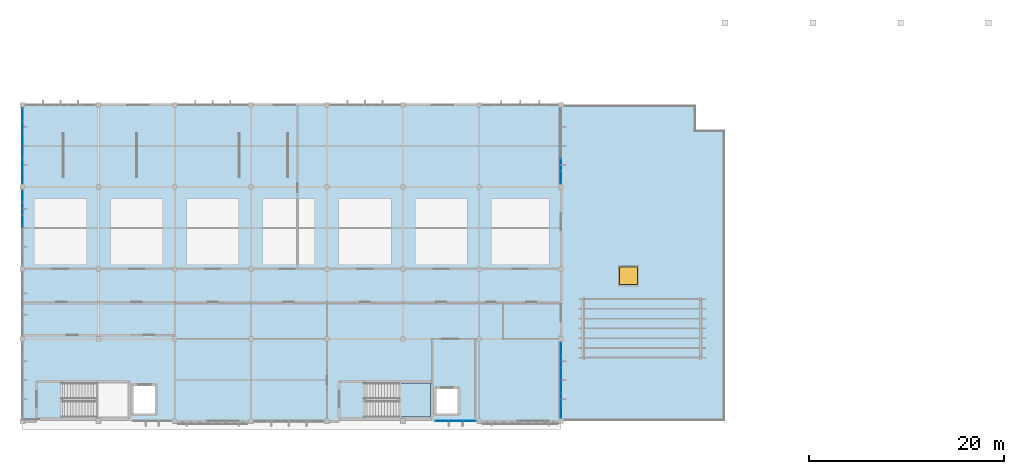
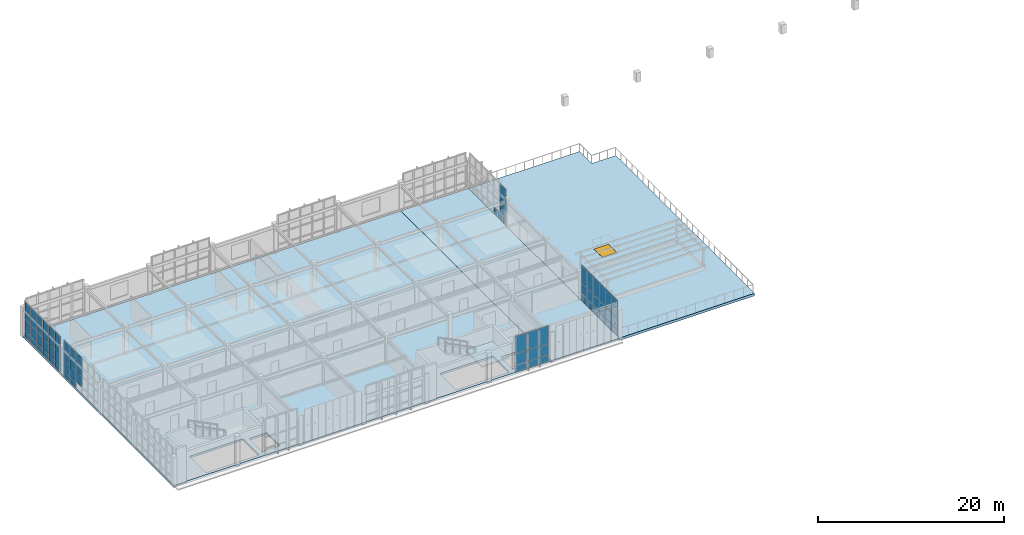
# One storey, part 10 of 20: 57 plates, 4 slabs, 1 window, 1 opening, 6 elements without a shape of their own.
"""IFC4 building model written with IfcOpenShell, lengths in metres."""

from ifc_helpers import new_model, si_unit, direction, frame, origin, origin_2d, place, context, subcontext, project, spatial, polyline, rectangle, outline, extrude, material, layer, layer_set, type_object, element, fill, aggregate, save


model = new_model("IFC4")

# Units and contexts
model_context = context("Model", 3, precision=1e-05, world=origin(), true_north=direction((0.0, 1.0)))
body_context = subcontext(model_context, "Body", "Model", "MODEL_VIEW")
ifc_project = project(units=[si_unit("LENGTHUNIT", "METRE"), si_unit("AREAUNIT", "SQUARE_METRE"), si_unit("VOLUMEUNIT", "CUBIC_METRE"), si_unit("PLANEANGLEUNIT", "RADIAN"), si_unit("MASSUNIT", "GRAM", prefix="KILO")], contexts=[model_context])

# Site, building, storey
site_placement = place(None, origin())
site = spatial("IfcSite", under=ifc_project, at=site_placement, CompositionType="ELEMENT")
building_placement = place(site_placement, origin())
building = spatial("IfcBuilding", under=site, at=building_placement, Name="Tizgana Railside Sports Hall", CompositionType="ELEMENT")
storey_placement = place(building_placement, frame((0.0, 0.0, 19.800048828125)))
storey = spatial("IfcBuildingStorey", under=building, at=storey_placement, Name="L04", CompositionType="ELEMENT", Elevation=19.800048828125)

# Curtain wall, plates
ifc_material_1 = material(Name="Anodised aluminium and glass", Category="aluminium")
curtain_wall_type_1 = type_object("IfcCurtainWallType", Name="Unitised Curtain Wall Foyer 1300", PredefinedType="NOTDEFINED", material=ifc_material_1)
curtain_wall_1_placement = place(storey_placement, origin())
curtain_wall_1 = element("IfcCurtainWall", 1, at=curtain_wall_1_placement, inside=storey, type_object=curtain_wall_type_1, Name="L04 Curtain Wall CW-0145", PredefinedType="NOTDEFINED")
ifc_material_2 = material(Name="Double low-E laminated glass", Category="glass")
ifc_layer_1 = layer(ifc_material_2, 0.033935546875, Name="Double low-E laminated glass")
ifc_layer_set_1 = layer_set([ifc_layer_1], Name="Double low-E laminated glass")
plate_type_1 = type_object("IfcPlateType", Name="Acoustic Laminated Glazing Panel 34", PredefinedType="CURTAIN_PANEL", material=ifc_layer_set_1)
plate_1_placement = place(storey_placement, frame((63.0, 7.430908203125, 0.059814453125), z_axis=(0.0, 0.0, 1.0), x_axis=(0.0, -1.0, 0.0)))
plate_1 = element("IfcPlate", 2, at=plate_1_placement, type_object=plate_type_1, Name="CW-02 panel 1.1", PredefinedType="CURTAIN_PANEL", context=body_context, shape_type="SweptSolid", body=[
    extrude(rectangle(XDim=1.208251953125, YDim=0.033935546875, at=origin_2d()), origin(), (0.0, 0.0, 1.0), 0.81005859375),
])
plate_2_placement = place(storey_placement, frame((63.0, 7.430908203125, 0.929931640625), z_axis=(0.0, 0.0, 1.0), x_axis=(0.0, -1.0, 0.0)))
plate_2 = element("IfcPlate", 3, at=plate_2_placement, type_object=plate_type_1, Name="CW-02 panel 1.2", PredefinedType="CURTAIN_PANEL", context=body_context, shape_type="SweptSolid", body=[
    extrude(rectangle(XDim=1.208251953125, YDim=0.033935546875, at=origin_2d()), origin(), (0.0, 0.0, 1.0), 1.43994140625),
])
plate_3_placement = place(storey_placement, frame((63.0, 7.430908203125, 2.429931640625), z_axis=(0.0, 0.0, 1.0), x_axis=(0.0, -1.0, 0.0)))
plate_3 = element("IfcPlate", 4, at=plate_3_placement, type_object=plate_type_1, Name="CW-02 panel 1.3", PredefinedType="CURTAIN_PANEL", context=body_context, shape_type="SweptSolid", body=[
    extrude(rectangle(XDim=1.208251953125, YDim=0.033935546875, at=origin_2d()), origin(), (0.0, 0.0, 1.0), 2.31005859375),
])
plate_4_placement = place(storey_placement, frame((63.0, 6.1474609375, 0.059814453125), z_axis=(0.0, 0.0, 1.0), x_axis=(0.0, -1.0, 0.0)))
plate_4 = element("IfcPlate", 5, at=plate_4_placement, type_object=plate_type_1, Name="CW-02 panel 2.1", PredefinedType="CURTAIN_PANEL", context=body_context, shape_type="SweptSolid", body=[
    extrude(rectangle(XDim=1.23828125, YDim=0.033935546875, at=origin_2d()), origin(), (0.0, 0.0, 1.0), 0.81005859375),
])
plate_5_placement = place(storey_placement, frame((63.0, 6.1474609375, 0.929931640625), z_axis=(0.0, 0.0, 1.0), x_axis=(0.0, -1.0, 0.0)))
plate_5 = element("IfcPlate", 6, at=plate_5_placement, type_object=plate_type_1, Name="CW-02 panel 2.2", PredefinedType="CURTAIN_PANEL", context=body_context, shape_type="SweptSolid", body=[
    extrude(rectangle(XDim=1.23828125, YDim=0.033935546875, at=origin_2d()), origin(), (0.0, 0.0, 1.0), 1.43994140625),
])
plate_6_placement = place(storey_placement, frame((63.0, 6.1474609375, 2.429931640625), z_axis=(0.0, 0.0, 1.0), x_axis=(0.0, -1.0, 0.0)))
plate_6 = element("IfcPlate", 7, at=plate_6_placement, type_object=plate_type_1, Name="CW-02 panel 2.3", PredefinedType="CURTAIN_PANEL", context=body_context, shape_type="SweptSolid", body=[
    extrude(rectangle(XDim=1.23828125, YDim=0.033935546875, at=origin_2d()), origin(), (0.0, 0.0, 1.0), 2.31005859375),
])
plate_7_placement = place(storey_placement, frame((63.0, 4.84912109375, 0.059814453125), z_axis=(0.0, 0.0, 1.0), x_axis=(0.0, -1.0, 0.0)))
plate_7 = element("IfcPlate", 8, at=plate_7_placement, type_object=plate_type_1, Name="CW-02 panel 3.1", PredefinedType="CURTAIN_PANEL", context=body_context, shape_type="SweptSolid", body=[
    extrude(rectangle(XDim=1.23828125, YDim=0.033935546875, at=origin_2d()), origin(), (0.0, 0.0, 1.0), 0.81005859375),
])
plate_8_placement = place(storey_placement, frame((63.0, 4.84912109375, 0.929931640625), z_axis=(0.0, 0.0, 1.0), x_axis=(0.0, -1.0, 0.0)))
plate_8 = element("IfcPlate", 9, at=plate_8_placement, type_object=plate_type_1, Name="CW-02 panel 3.2", PredefinedType="CURTAIN_PANEL", context=body_context, shape_type="SweptSolid", body=[
    extrude(rectangle(XDim=1.23828125, YDim=0.033935546875, at=origin_2d()), origin(), (0.0, 0.0, 1.0), 1.43994140625),
])
plate_9_placement = place(storey_placement, frame((63.0, 4.84912109375, 2.429931640625), z_axis=(0.0, 0.0, 1.0), x_axis=(0.0, -1.0, 0.0)))
plate_9 = element("IfcPlate", 10, at=plate_9_placement, type_object=plate_type_1, Name="CW-02 panel 3.3", PredefinedType="CURTAIN_PANEL", context=body_context, shape_type="SweptSolid", body=[
    extrude(rectangle(XDim=1.23828125, YDim=0.033935546875, at=origin_2d()), origin(), (0.0, 0.0, 1.0), 2.31005859375),
])
plate_10_placement = place(storey_placement, frame((63.0, 3.55078125, 0.059814453125), z_axis=(0.0, 0.0, 1.0), x_axis=(0.0, -1.0, 0.0)))
plate_10 = element("IfcPlate", 11, at=plate_10_placement, type_object=plate_type_1, Name="CW-02 panel 4.1", PredefinedType="CURTAIN_PANEL", context=body_context, shape_type="SweptSolid", body=[
    extrude(rectangle(XDim=1.23828125, YDim=0.033935546875, at=origin_2d()), origin(), (0.0, 0.0, 1.0), 0.81005859375),
])
plate_11_placement = place(storey_placement, frame((63.0, 3.55078125, 0.929931640625), z_axis=(0.0, 0.0, 1.0), x_axis=(0.0, -1.0, 0.0)))
plate_11 = element("IfcPlate", 12, at=plate_11_placement, type_object=plate_type_1, Name="CW-02 panel 4.2", PredefinedType="CURTAIN_PANEL", context=body_context, shape_type="SweptSolid", body=[
    extrude(rectangle(XDim=1.23828125, YDim=0.033935546875, at=origin_2d()), origin(), (0.0, 0.0, 1.0), 1.43994140625),
])
plate_12_placement = place(storey_placement, frame((63.0, 3.55078125, 2.429931640625), z_axis=(0.0, 0.0, 1.0), x_axis=(0.0, -1.0, 0.0)))
plate_12 = element("IfcPlate", 13, at=plate_12_placement, type_object=plate_type_1, Name="CW-02 panel 4.3", PredefinedType="CURTAIN_PANEL", context=body_context, shape_type="SweptSolid", body=[
    extrude(rectangle(XDim=1.23828125, YDim=0.033935546875, at=origin_2d()), origin(), (0.0, 0.0, 1.0), 2.31005859375),
])
plate_13_placement = place(storey_placement, frame((63.0, 2.25244140625, 0.059814453125), z_axis=(0.0, 0.0, 1.0), x_axis=(0.0, -1.0, 0.0)))
plate_13 = element("IfcPlate", 14, at=plate_13_placement, type_object=plate_type_1, Name="CW-02 panel 5.1", PredefinedType="CURTAIN_PANEL", context=body_context, shape_type="SweptSolid", body=[
    extrude(rectangle(XDim=1.23828125, YDim=0.033935546875, at=origin_2d()), origin(), (0.0, 0.0, 1.0), 0.81005859375),
])
plate_14_placement = place(storey_placement, frame((63.0, 2.25244140625, 0.929931640625), z_axis=(0.0, 0.0, 1.0), x_axis=(0.0, -1.0, 0.0)))
plate_14 = element("IfcPlate", 15, at=plate_14_placement, type_object=plate_type_1, Name="CW-02 panel 5.2", PredefinedType="CURTAIN_PANEL", context=body_context, shape_type="SweptSolid", body=[
    extrude(rectangle(XDim=1.23828125, YDim=0.033935546875, at=origin_2d()), origin(), (0.0, 0.0, 1.0), 1.43994140625),
])
plate_15_placement = place(storey_placement, frame((63.0, 2.25244140625, 2.429931640625), z_axis=(0.0, 0.0, 1.0), x_axis=(0.0, -1.0, 0.0)))
plate_15 = element("IfcPlate", 16, at=plate_15_placement, type_object=plate_type_1, Name="CW-02 panel 5.3", PredefinedType="CURTAIN_PANEL", context=body_context, shape_type="SweptSolid", body=[
    extrude(rectangle(XDim=1.23828125, YDim=0.033935546875, at=origin_2d()), origin(), (0.0, 0.0, 1.0), 2.31005859375),
])
plate_16_placement = place(storey_placement, frame((63.0, 0.96923828125, 0.059814453125), z_axis=(0.0, 0.0, 1.0), x_axis=(0.0, -1.0, 0.0)))
plate_16 = element("IfcPlate", 17, at=plate_16_placement, type_object=plate_type_1, Name="CW-02 panel 6.1", PredefinedType="CURTAIN_PANEL", context=body_context, shape_type="SweptSolid", body=[
    extrude(rectangle(XDim=1.208251953125, YDim=0.033935546875, at=origin_2d()), origin(), (0.0, 0.0, 1.0), 0.81005859375),
])
plate_17_placement = place(storey_placement, frame((63.0, 0.96923828125, 0.929931640625), z_axis=(0.0, 0.0, 1.0), x_axis=(0.0, -1.0, 0.0)))
plate_17 = element("IfcPlate", 18, at=plate_17_placement, type_object=plate_type_1, Name="CW-02 panel 6.2", PredefinedType="CURTAIN_PANEL", context=body_context, shape_type="SweptSolid", body=[
    extrude(rectangle(XDim=1.208251953125, YDim=0.033935546875, at=origin_2d()), origin(), (0.0, 0.0, 1.0), 1.43994140625),
])
plate_18_placement = place(storey_placement, frame((63.0, 0.96923828125, 2.429931640625), z_axis=(0.0, 0.0, 1.0), x_axis=(0.0, -1.0, 0.0)))
plate_18 = element("IfcPlate", 19, at=plate_18_placement, type_object=plate_type_1, Name="CW-02 panel 6.3", PredefinedType="CURTAIN_PANEL", context=body_context, shape_type="SweptSolid", body=[
    extrude(rectangle(XDim=1.208251953125, YDim=0.033935546875, at=origin_2d()), origin(), (0.0, 0.0, 1.0), 2.31005859375),
])
aggregate(curtain_wall_1, [plate_1, plate_2, plate_3, plate_4, plate_5, plate_6, plate_7, plate_8, plate_9, plate_10, plate_11, plate_12, plate_13, plate_14, plate_15, plate_16, plate_17, plate_18])

# Stair, slab
ifc_material_3 = material(Name="Concrete C35/45", Category="concrete")
stair_type = type_object("IfcStairType", Name="Tournament Court Stair 1600", PredefinedType="HALF_TURN_STAIR", material=ifc_material_3)
stair_placement = place(storey_placement, origin())
stair = element("IfcStair", 20, at=stair_placement, inside=storey, type_object=stair_type, Name="L04 Core Stair ST-02", PredefinedType="HALF_TURN_STAIR")
ifc_layer_2 = layer(ifc_material_3, 0.199951171875, Name="Concrete C35/45")
ifc_layer_set_2 = layer_set([ifc_layer_2], Name="Concrete C35/45")
slab_type_1 = type_object("IfcSlabType", Name="Core Stair Landing Slab 200", PredefinedType="LANDING", material=ifc_layer_set_2)
slab_1_placement = place(storey_placement, frame((0.0, 0.0, 1.75)))
slab_1 = element("IfcSlab", 21, at=slab_1_placement, type_object=slab_type_1, Name="ST-02 landing 1", PredefinedType="LANDING", context=body_context, shape_type="SweptSolid", body=[
    extrude(outline(polyline([(46.219970703125, 0.39990234375), (49.60009765625, 0.39990234375), (49.60009765625, 3.89990234375), (46.219970703125, 3.89990234375), (46.219970703125, 0.39990234375)])), origin(), (0.0, 0.0, 1.0), 0.199951171875),
])
aggregate(stair, [slab_1])

# Curtain wall, plates
curtain_wall_type_2 = type_object("IfcCurtainWallType", Name="Unitised Curtain Wall Studio 1400", PredefinedType="NOTDEFINED", material=ifc_material_1)
curtain_wall_2_placement = place(storey_placement, origin())
curtain_wall_2 = element("IfcCurtainWall", 22, at=curtain_wall_2_placement, inside=storey, type_object=curtain_wall_type_2, Name="L04 Curtain Wall CW-0146", PredefinedType="NOTDEFINED")
ifc_layer_3 = layer(ifc_material_2, 0.0400390625, Name="Double low-E laminated glass")
ifc_layer_set_3 = layer_set([ifc_layer_3], Name="Double low-E laminated glass")
plate_type_2 = type_object("IfcPlateType", Name="High-Span Tempered Glazing Panel 40", PredefinedType="CURTAIN_PANEL", material=ifc_layer_set_3)
plate_19_placement = place(storey_placement, frame((63.0, 26.25244140625, 0.059814453125), z_axis=(0.0, 0.0, 1.0), x_axis=(0.0, -1.0, 0.0)))
plate_19 = element("IfcPlate", 23, at=plate_19_placement, type_object=plate_type_2, Name="CW-03 panel 5.1", PredefinedType="CURTAIN_PANEL", context=body_context, shape_type="SweptSolid", body=[
    extrude(rectangle(XDim=1.23828125, YDim=0.0400390625, at=origin_2d()), origin(), (0.0, 0.0, 1.0), 0.81005859375),
])
plate_20_placement = place(storey_placement, frame((63.0, 24.96923828125, 0.059814453125), z_axis=(0.0, 0.0, 1.0), x_axis=(0.0, -1.0, 0.0)))
plate_20 = element("IfcPlate", 24, at=plate_20_placement, type_object=plate_type_2, Name="CW-03 panel 6.1", PredefinedType="CURTAIN_PANEL", context=body_context, shape_type="SweptSolid", body=[
    extrude(rectangle(XDim=1.208251953125, YDim=0.0400390625, at=origin_2d()), origin(), (0.0, 0.0, 1.0), 0.81005859375),
])
plate_21_placement = place(storey_placement, frame((63.0, 24.96923828125, 0.929931640625), z_axis=(0.0, 0.0, 1.0), x_axis=(0.0, -1.0, 0.0)))
plate_21 = element("IfcPlate", 25, at=plate_21_placement, type_object=plate_type_2, Name="CW-03 panel 6.2", PredefinedType="CURTAIN_PANEL", context=body_context, shape_type="SweptSolid", body=[
    extrude(rectangle(XDim=1.208251953125, YDim=0.0400390625, at=origin_2d()), origin(), (0.0, 0.0, 1.0), 1.43994140625),
])
plate_22_placement = place(storey_placement, frame((63.0, 24.96923828125, 2.429931640625), z_axis=(0.0, 0.0, 1.0), x_axis=(0.0, -1.0, 0.0)))
plate_22 = element("IfcPlate", 26, at=plate_22_placement, type_object=plate_type_2, Name="CW-03 panel 6.3", PredefinedType="CURTAIN_PANEL", context=body_context, shape_type="SweptSolid", body=[
    extrude(rectangle(XDim=1.208251953125, YDim=0.0400390625, at=origin_2d()), origin(), (0.0, 0.0, 1.0), 2.31005859375),
])
aggregate(curtain_wall_2, [plate_19, plate_20, plate_21, plate_22])

curtain_wall_type_3 = type_object("IfcCurtainWallType", Name="Unitised Curtain Wall EastHall 1500", PredefinedType="NOTDEFINED", material=ifc_material_1)
curtain_wall_3_placement = place(storey_placement, origin())
curtain_wall_3 = element("IfcCurtainWall", 27, at=curtain_wall_3_placement, inside=storey, type_object=curtain_wall_type_3, Name="L04 Curtain Wall CW-0143", PredefinedType="NOTDEFINED")
ifc_layer_4 = layer(ifc_material_2, 0.031982421875, Name="Double low-E laminated glass")
ifc_layer_set_4 = layer_set([ifc_layer_4], Name="Double low-E laminated glass")
plate_type_3 = type_object("IfcPlateType", Name="North-Light Clerestory Glazing Panel 32", PredefinedType="CURTAIN_PANEL", material=ifc_layer_set_4)
plate_23_placement = place(storey_placement, frame((7.800048828125, 23.027099609375, 0.054931640625), z_axis=(0.0, 0.0, 1.0), x_axis=(0.0, -1.0, 0.0)))
plate_23 = element("IfcPlate", 28, at=plate_23_placement, type_object=plate_type_3, Name="CW-08 panel 1.1", PredefinedType="CURTAIN_PANEL", context=body_context, shape_type="SweptSolid", body=[
    extrude(rectangle(XDim=1.185791015625, YDim=0.031982421875, at=origin_2d()), origin(), (0.0, 0.0, 1.0), 0.8173828125),
])
plate_24_placement = place(storey_placement, frame((7.800048828125, 23.027099609375, 0.92724609375), z_axis=(0.0, 0.0, 1.0), x_axis=(0.0, -1.0, 0.0)))
plate_24 = element("IfcPlate", 29, at=plate_24_placement, type_object=plate_type_3, Name="CW-08 panel 1.2", PredefinedType="CURTAIN_PANEL", context=body_context, shape_type="SweptSolid", body=[
    extrude(rectangle(XDim=1.185791015625, YDim=0.031982421875, at=origin_2d()), origin(), (0.0, 0.0, 1.0), 1.445068359375),
])
plate_25_placement = place(storey_placement, frame((7.800048828125, 23.027099609375, 2.427490234375), z_axis=(0.0, 0.0, 1.0), x_axis=(0.0, -1.0, 0.0)))
plate_25 = element("IfcPlate", 30, at=plate_25_placement, type_object=plate_type_3, Name="CW-08 panel 1.3", PredefinedType="CURTAIN_PANEL", context=body_context, shape_type="SweptSolid", body=[
    extrude(rectangle(XDim=1.185791015625, YDim=0.031982421875, at=origin_2d()), origin(), (0.0, 0.0, 1.0), 2.3173828125),
])
plate_26_placement = place(storey_placement, frame((7.800048828125, 21.74755859375, 0.054931640625), z_axis=(0.0, 0.0, 1.0), x_axis=(0.0, -1.0, 0.0)))
plate_26 = element("IfcPlate", 31, at=plate_26_placement, type_object=plate_type_3, Name="CW-08 panel 2.1", PredefinedType="CURTAIN_PANEL", context=body_context, shape_type="SweptSolid", body=[
    extrude(rectangle(XDim=1.223388671875, YDim=0.031982421875, at=origin_2d()), origin(), (0.0, 0.0, 1.0), 0.8173828125),
])
plate_27_placement = place(storey_placement, frame((7.800048828125, 21.74755859375, 0.92724609375), z_axis=(0.0, 0.0, 1.0), x_axis=(0.0, -1.0, 0.0)))
plate_27 = element("IfcPlate", 32, at=plate_27_placement, type_object=plate_type_3, Name="CW-08 panel 2.2", PredefinedType="CURTAIN_PANEL", context=body_context, shape_type="SweptSolid", body=[
    extrude(rectangle(XDim=1.223388671875, YDim=0.031982421875, at=origin_2d()), origin(), (0.0, 0.0, 1.0), 1.445068359375),
])
plate_28_placement = place(storey_placement, frame((7.800048828125, 21.74755859375, 2.427490234375), z_axis=(0.0, 0.0, 1.0), x_axis=(0.0, -1.0, 0.0)))
plate_28 = element("IfcPlate", 33, at=plate_28_placement, type_object=plate_type_3, Name="CW-08 panel 2.3", PredefinedType="CURTAIN_PANEL", context=body_context, shape_type="SweptSolid", body=[
    extrude(rectangle(XDim=1.223388671875, YDim=0.031982421875, at=origin_2d()), origin(), (0.0, 0.0, 1.0), 2.3173828125),
])
plate_29_placement = place(storey_placement, frame((7.800048828125, 20.44921875, 0.92724609375), z_axis=(0.0, 0.0, 1.0), x_axis=(0.0, -1.0, 0.0)))
plate_29 = element("IfcPlate", 34, at=plate_29_placement, type_object=plate_type_3, Name="CW-08 panel 3.2", PredefinedType="CURTAIN_PANEL", context=body_context, shape_type="SweptSolid", body=[
    extrude(rectangle(XDim=1.223388671875, YDim=0.031982421875, at=origin_2d()), origin(), (0.0, 0.0, 1.0), 1.445068359375),
])
plate_30_placement = place(storey_placement, frame((7.800048828125, 20.44921875, 2.427490234375), z_axis=(0.0, 0.0, 1.0), x_axis=(0.0, -1.0, 0.0)))
plate_30 = element("IfcPlate", 35, at=plate_30_placement, type_object=plate_type_3, Name="CW-08 panel 3.3", PredefinedType="CURTAIN_PANEL", context=body_context, shape_type="SweptSolid", body=[
    extrude(rectangle(XDim=1.223388671875, YDim=0.031982421875, at=origin_2d()), origin(), (0.0, 0.0, 1.0), 2.3173828125),
])
aggregate(curtain_wall_3, [plate_23, plate_24, plate_25, plate_26, plate_27, plate_28, plate_29, plate_30])

curtain_wall_type_4 = type_object("IfcCurtainWallType", Name="Unitised Curtain Wall Concourse 1500", PredefinedType="NOTDEFINED", material=ifc_material_1)
curtain_wall_4_placement = place(storey_placement, origin())
curtain_wall_4 = element("IfcCurtainWall", 36, at=curtain_wall_4_placement, inside=storey, type_object=curtain_wall_type_4, Name="L04 Curtain Wall CW-0136", PredefinedType="NOTDEFINED")
ifc_layer_5 = layer(ifc_material_2, 0.028076171875, Name="Double low-E laminated glass")
ifc_layer_set_5 = layer_set([ifc_layer_5], Name="Double low-E laminated glass")
plate_type_4 = type_object("IfcPlateType", Name="Solar Low-E Glazing Panel 28", PredefinedType="CURTAIN_PANEL", material=ifc_layer_set_5)
plate_31_placement = place(storey_placement, frame((53.574951171875, 0.0, 0.070068359375), z_axis=(0.0, 0.0, 1.0), x_axis=(-1.0, 0.0, 0.0)))
plate_31 = element("IfcPlate", 37, at=plate_31_placement, type_object=plate_type_4, Name="CW-01 panel 1.1", PredefinedType="CURTAIN_PANEL", context=body_context, shape_type="SweptSolid", body=[
    extrude(rectangle(XDim=1.300048828125, YDim=0.028076171875, at=origin_2d()), origin(), (0.0, 0.0, 1.0), 0.794921875),
])
plate_32_placement = place(storey_placement, frame((53.574951171875, 0.0, 0.93505859375), z_axis=(0.0, 0.0, 1.0), x_axis=(-1.0, 0.0, 0.0)))
plate_32 = element("IfcPlate", 38, at=plate_32_placement, type_object=plate_type_4, Name="CW-01 panel 1.2", PredefinedType="CURTAIN_PANEL", context=body_context, shape_type="SweptSolid", body=[
    extrude(rectangle(XDim=1.300048828125, YDim=0.028076171875, at=origin_2d()), origin(), (0.0, 0.0, 1.0), 1.429931640625),
])
plate_33_placement = place(storey_placement, frame((53.574951171875, 0.0, 2.43505859375), z_axis=(0.0, 0.0, 1.0), x_axis=(-1.0, 0.0, 0.0)))
plate_33 = element("IfcPlate", 39, at=plate_33_placement, type_object=plate_type_4, Name="CW-01 panel 1.3", PredefinedType="CURTAIN_PANEL", context=body_context, shape_type="SweptSolid", body=[
    extrude(rectangle(XDim=1.300048828125, YDim=0.028076171875, at=origin_2d()), origin(), (0.0, 0.0, 1.0), 2.294921875),
])
plate_34_placement = place(storey_placement, frame((52.1875, 0.0, 0.070068359375), z_axis=(0.0, 0.0, 1.0), x_axis=(-1.0, 0.0, 0.0)))
plate_34 = element("IfcPlate", 40, at=plate_34_placement, type_object=plate_type_4, Name="CW-01 panel 2.1", PredefinedType="CURTAIN_PANEL", context=body_context, shape_type="SweptSolid", body=[
    extrude(rectangle(XDim=1.3349609375, YDim=0.028076171875, at=origin_2d()), origin(), (0.0, 0.0, 1.0), 0.794921875),
])
plate_35_placement = place(storey_placement, frame((52.1875, 0.0, 0.93505859375), z_axis=(0.0, 0.0, 1.0), x_axis=(-1.0, 0.0, 0.0)))
plate_35 = element("IfcPlate", 41, at=plate_35_placement, type_object=plate_type_4, Name="CW-01 panel 2.2", PredefinedType="CURTAIN_PANEL", context=body_context, shape_type="SweptSolid", body=[
    extrude(rectangle(XDim=1.3349609375, YDim=0.028076171875, at=origin_2d()), origin(), (0.0, 0.0, 1.0), 1.429931640625),
])
plate_36_placement = place(storey_placement, frame((52.1875, 0.0, 2.43505859375), z_axis=(0.0, 0.0, 1.0), x_axis=(-1.0, 0.0, 0.0)))
plate_36 = element("IfcPlate", 42, at=plate_36_placement, type_object=plate_type_4, Name="CW-01 panel 2.3", PredefinedType="CURTAIN_PANEL", context=body_context, shape_type="SweptSolid", body=[
    extrude(rectangle(XDim=1.3349609375, YDim=0.028076171875, at=origin_2d()), origin(), (0.0, 0.0, 1.0), 2.294921875),
])
plate_37_placement = place(storey_placement, frame((50.800048828125, 0.0, 0.070068359375), z_axis=(0.0, 0.0, 1.0), x_axis=(-1.0, 0.0, 0.0)))
plate_37 = element("IfcPlate", 43, at=plate_37_placement, type_object=plate_type_4, Name="CW-01 panel 3.1", PredefinedType="CURTAIN_PANEL", context=body_context, shape_type="SweptSolid", body=[
    extrude(rectangle(XDim=1.300048828125, YDim=0.028076171875, at=origin_2d()), origin(), (0.0, 0.0, 1.0), 0.794921875),
])
plate_38_placement = place(storey_placement, frame((50.800048828125, 0.0, 0.93505859375), z_axis=(0.0, 0.0, 1.0), x_axis=(-1.0, 0.0, 0.0)))
plate_38 = element("IfcPlate", 44, at=plate_38_placement, type_object=plate_type_4, Name="CW-01 panel 3.2", PredefinedType="CURTAIN_PANEL", context=body_context, shape_type="SweptSolid", body=[
    extrude(rectangle(XDim=1.300048828125, YDim=0.028076171875, at=origin_2d()), origin(), (0.0, 0.0, 1.0), 1.429931640625),
])
plate_39_placement = place(storey_placement, frame((50.800048828125, 0.0, 2.43505859375), z_axis=(0.0, 0.0, 1.0), x_axis=(-1.0, 0.0, 0.0)))
plate_39 = element("IfcPlate", 45, at=plate_39_placement, type_object=plate_type_4, Name="CW-01 panel 3.3", PredefinedType="CURTAIN_PANEL", context=body_context, shape_type="SweptSolid", body=[
    extrude(rectangle(XDim=1.300048828125, YDim=0.028076171875, at=origin_2d()), origin(), (0.0, 0.0, 1.0), 2.294921875),
])
aggregate(curtain_wall_4, [plate_31, plate_32, plate_33, plate_34, plate_35, plate_36, plate_37, plate_38, plate_39])

curtain_wall_5_placement = place(storey_placement, origin())
curtain_wall_5 = element("IfcCurtainWall", 46, at=curtain_wall_5_placement, inside=storey, type_object=curtain_wall_type_4, Name="L04 Curtain Wall CW-0144", PredefinedType="NOTDEFINED")
plate_40_placement = place(storey_placement, frame((7.800048828125, 31.430908203125, 0.059814453125), z_axis=(0.0, 0.0, 1.0), x_axis=(0.0, -1.0, 0.0)))
plate_40 = element("IfcPlate", 47, at=plate_40_placement, type_object=plate_type_4, Name="CW-01 panel 1.1", PredefinedType="CURTAIN_PANEL", context=body_context, shape_type="SweptSolid", body=[
    extrude(rectangle(XDim=1.208251953125, YDim=0.028076171875, at=origin_2d()), origin(), (0.0, 0.0, 1.0), 0.81005859375),
])
plate_41_placement = place(storey_placement, frame((7.800048828125, 31.430908203125, 0.929931640625), z_axis=(0.0, 0.0, 1.0), x_axis=(0.0, -1.0, 0.0)))
plate_41 = element("IfcPlate", 48, at=plate_41_placement, type_object=plate_type_4, Name="CW-01 panel 1.2", PredefinedType="CURTAIN_PANEL", context=body_context, shape_type="SweptSolid", body=[
    extrude(rectangle(XDim=1.208251953125, YDim=0.028076171875, at=origin_2d()), origin(), (0.0, 0.0, 1.0), 1.43994140625),
])
plate_42_placement = place(storey_placement, frame((7.800048828125, 31.430908203125, 2.429931640625), z_axis=(0.0, 0.0, 1.0), x_axis=(0.0, -1.0, 0.0)))
plate_42 = element("IfcPlate", 49, at=plate_42_placement, type_object=plate_type_4, Name="CW-01 panel 1.3", PredefinedType="CURTAIN_PANEL", context=body_context, shape_type="SweptSolid", body=[
    extrude(rectangle(XDim=1.208251953125, YDim=0.028076171875, at=origin_2d()), origin(), (0.0, 0.0, 1.0), 2.31005859375),
])
plate_43_placement = place(storey_placement, frame((7.800048828125, 30.1474609375, 0.059814453125), z_axis=(0.0, 0.0, 1.0), x_axis=(0.0, -1.0, 0.0)))
plate_43 = element("IfcPlate", 50, at=plate_43_placement, type_object=plate_type_4, Name="CW-01 panel 2.1", PredefinedType="CURTAIN_PANEL", context=body_context, shape_type="SweptSolid", body=[
    extrude(rectangle(XDim=1.23828125, YDim=0.028076171875, at=origin_2d()), origin(), (0.0, 0.0, 1.0), 0.81005859375),
])
plate_44_placement = place(storey_placement, frame((7.800048828125, 30.1474609375, 0.929931640625), z_axis=(0.0, 0.0, 1.0), x_axis=(0.0, -1.0, 0.0)))
plate_44 = element("IfcPlate", 51, at=plate_44_placement, type_object=plate_type_4, Name="CW-01 panel 2.2", PredefinedType="CURTAIN_PANEL", context=body_context, shape_type="SweptSolid", body=[
    extrude(rectangle(XDim=1.23828125, YDim=0.028076171875, at=origin_2d()), origin(), (0.0, 0.0, 1.0), 1.43994140625),
])
plate_45_placement = place(storey_placement, frame((7.800048828125, 30.1474609375, 2.429931640625), z_axis=(0.0, 0.0, 1.0), x_axis=(0.0, -1.0, 0.0)))
plate_45 = element("IfcPlate", 52, at=plate_45_placement, type_object=plate_type_4, Name="CW-01 panel 2.3", PredefinedType="CURTAIN_PANEL", context=body_context, shape_type="SweptSolid", body=[
    extrude(rectangle(XDim=1.23828125, YDim=0.028076171875, at=origin_2d()), origin(), (0.0, 0.0, 1.0), 2.31005859375),
])
plate_46_placement = place(storey_placement, frame((7.800048828125, 28.84912109375, 0.059814453125), z_axis=(0.0, 0.0, 1.0), x_axis=(0.0, -1.0, 0.0)))
plate_46 = element("IfcPlate", 53, at=plate_46_placement, type_object=plate_type_4, Name="CW-01 panel 3.1", PredefinedType="CURTAIN_PANEL", context=body_context, shape_type="SweptSolid", body=[
    extrude(rectangle(XDim=1.23828125, YDim=0.028076171875, at=origin_2d()), origin(), (0.0, 0.0, 1.0), 0.81005859375),
])
plate_47_placement = place(storey_placement, frame((7.800048828125, 28.84912109375, 0.929931640625), z_axis=(0.0, 0.0, 1.0), x_axis=(0.0, -1.0, 0.0)))
plate_47 = element("IfcPlate", 54, at=plate_47_placement, type_object=plate_type_4, Name="CW-01 panel 3.2", PredefinedType="CURTAIN_PANEL", context=body_context, shape_type="SweptSolid", body=[
    extrude(rectangle(XDim=1.23828125, YDim=0.028076171875, at=origin_2d()), origin(), (0.0, 0.0, 1.0), 1.43994140625),
])
plate_48_placement = place(storey_placement, frame((7.800048828125, 28.84912109375, 2.429931640625), z_axis=(0.0, 0.0, 1.0), x_axis=(0.0, -1.0, 0.0)))
plate_48 = element("IfcPlate", 55, at=plate_48_placement, type_object=plate_type_4, Name="CW-01 panel 3.3", PredefinedType="CURTAIN_PANEL", context=body_context, shape_type="SweptSolid", body=[
    extrude(rectangle(XDim=1.23828125, YDim=0.028076171875, at=origin_2d()), origin(), (0.0, 0.0, 1.0), 2.31005859375),
])
plate_49_placement = place(storey_placement, frame((7.800048828125, 27.55078125, 0.059814453125), z_axis=(0.0, 0.0, 1.0), x_axis=(0.0, -1.0, 0.0)))
plate_49 = element("IfcPlate", 56, at=plate_49_placement, type_object=plate_type_4, Name="CW-01 panel 4.1", PredefinedType="CURTAIN_PANEL", context=body_context, shape_type="SweptSolid", body=[
    extrude(rectangle(XDim=1.23828125, YDim=0.028076171875, at=origin_2d()), origin(), (0.0, 0.0, 1.0), 0.81005859375),
])
plate_50_placement = place(storey_placement, frame((7.800048828125, 27.55078125, 0.929931640625), z_axis=(0.0, 0.0, 1.0), x_axis=(0.0, -1.0, 0.0)))
plate_50 = element("IfcPlate", 57, at=plate_50_placement, type_object=plate_type_4, Name="CW-01 panel 4.2", PredefinedType="CURTAIN_PANEL", context=body_context, shape_type="SweptSolid", body=[
    extrude(rectangle(XDim=1.23828125, YDim=0.028076171875, at=origin_2d()), origin(), (0.0, 0.0, 1.0), 1.43994140625),
])
plate_51_placement = place(storey_placement, frame((7.800048828125, 27.55078125, 2.429931640625), z_axis=(0.0, 0.0, 1.0), x_axis=(0.0, -1.0, 0.0)))
plate_51 = element("IfcPlate", 58, at=plate_51_placement, type_object=plate_type_4, Name="CW-01 panel 4.3", PredefinedType="CURTAIN_PANEL", context=body_context, shape_type="SweptSolid", body=[
    extrude(rectangle(XDim=1.23828125, YDim=0.028076171875, at=origin_2d()), origin(), (0.0, 0.0, 1.0), 2.31005859375),
])
plate_52_placement = place(storey_placement, frame((7.800048828125, 26.25244140625, 0.059814453125), z_axis=(0.0, 0.0, 1.0), x_axis=(0.0, -1.0, 0.0)))
plate_52 = element("IfcPlate", 59, at=plate_52_placement, type_object=plate_type_4, Name="CW-01 panel 5.1", PredefinedType="CURTAIN_PANEL", context=body_context, shape_type="SweptSolid", body=[
    extrude(rectangle(XDim=1.23828125, YDim=0.028076171875, at=origin_2d()), origin(), (0.0, 0.0, 1.0), 0.81005859375),
])
plate_53_placement = place(storey_placement, frame((7.800048828125, 26.25244140625, 0.929931640625), z_axis=(0.0, 0.0, 1.0), x_axis=(0.0, -1.0, 0.0)))
plate_53 = element("IfcPlate", 60, at=plate_53_placement, type_object=plate_type_4, Name="CW-01 panel 5.2", PredefinedType="CURTAIN_PANEL", context=body_context, shape_type="SweptSolid", body=[
    extrude(rectangle(XDim=1.23828125, YDim=0.028076171875, at=origin_2d()), origin(), (0.0, 0.0, 1.0), 1.43994140625),
])
plate_54_placement = place(storey_placement, frame((7.800048828125, 26.25244140625, 2.429931640625), z_axis=(0.0, 0.0, 1.0), x_axis=(0.0, -1.0, 0.0)))
plate_54 = element("IfcPlate", 61, at=plate_54_placement, type_object=plate_type_4, Name="CW-01 panel 5.3", PredefinedType="CURTAIN_PANEL", context=body_context, shape_type="SweptSolid", body=[
    extrude(rectangle(XDim=1.23828125, YDim=0.028076171875, at=origin_2d()), origin(), (0.0, 0.0, 1.0), 2.31005859375),
])
plate_55_placement = place(storey_placement, frame((7.800048828125, 24.96923828125, 0.059814453125), z_axis=(0.0, 0.0, 1.0), x_axis=(0.0, -1.0, 0.0)))
plate_55 = element("IfcPlate", 62, at=plate_55_placement, type_object=plate_type_4, Name="CW-01 panel 6.1", PredefinedType="CURTAIN_PANEL", context=body_context, shape_type="SweptSolid", body=[
    extrude(rectangle(XDim=1.208251953125, YDim=0.028076171875, at=origin_2d()), origin(), (0.0, 0.0, 1.0), 0.81005859375),
])
plate_56_placement = place(storey_placement, frame((7.800048828125, 24.96923828125, 0.929931640625), z_axis=(0.0, 0.0, 1.0), x_axis=(0.0, -1.0, 0.0)))
plate_56 = element("IfcPlate", 63, at=plate_56_placement, type_object=plate_type_4, Name="CW-01 panel 6.2", PredefinedType="CURTAIN_PANEL", context=body_context, shape_type="SweptSolid", body=[
    extrude(rectangle(XDim=1.208251953125, YDim=0.028076171875, at=origin_2d()), origin(), (0.0, 0.0, 1.0), 1.43994140625),
])
plate_57_placement = place(storey_placement, frame((7.800048828125, 24.96923828125, 2.429931640625), z_axis=(0.0, 0.0, 1.0), x_axis=(0.0, -1.0, 0.0)))
plate_57 = element("IfcPlate", 64, at=plate_57_placement, type_object=plate_type_4, Name="CW-01 panel 6.3", PredefinedType="CURTAIN_PANEL", context=body_context, shape_type="SweptSolid", body=[
    extrude(rectangle(XDim=1.208251953125, YDim=0.028076171875, at=origin_2d()), origin(), (0.0, 0.0, 1.0), 2.31005859375),
])
aggregate(curtain_wall_5, [plate_40, plate_41, plate_42, plate_43, plate_44, plate_45, plate_46, plate_47, plate_48, plate_49, plate_50, plate_51, plate_52, plate_53, plate_54, plate_55, plate_56, plate_57])

# Slab, opening, window
ifc_layer_6 = layer(ifc_material_3, 0.330078125, Name="Concrete C35/45")
ifc_layer_set_6 = layer_set([ifc_layer_6], Name="Concrete C35/45")
slab_type_2 = type_object("IfcSlabType", Name="Stepped Athletic Terrace Deck 330", PredefinedType="FLOOR", material=ifc_layer_set_6)
slab_2_placement = place(storey_placement, frame((0.0, 0.0, -0.330078125)))
slab_2 = element("IfcSlab", 65, at=slab_2_placement, inside=storey, type_object=slab_type_2, Name="L04 V5 L04 East Terrace SLB-0039", PredefinedType="FLOOR", context=body_context, shape_type="SweptSolid", body=[
    extrude(outline(polyline([(63.0, 0.0), (79.800048828125, 0.0), (79.800048828125, 29.800048828125), (76.800048828125, 29.800048828125), (76.800048828125, 32.39990234375), (63.0, 32.39990234375), (63.0, 0.0)]), holes=[polyline([(69.0, 14.0), (70.800048828125, 14.0), (70.800048828125, 15.800048828125), (69.0, 15.800048828125), (69.0, 14.0)])]), origin(), (0.0, 0.0, 1.0), 0.330078125),
])
opening_placement = place(slab_2_placement, frame((69.89990234375, 14.89990234375, 0.0)))
opening = element("IfcOpeningElement", 66, at=opening_placement, cuts=slab_2, Name="Opening W-0099", PredefinedType="OPENING", context=body_context, shape_type="SweptSolid", body=[
    extrude(rectangle(XDim=1.800048828125, YDim=1.800048828125, at=origin_2d()), origin(), (0.0, 0.0, 1.0), 0.330078125),
])
window_type = type_object("IfcWindowType", Name="Corridor Daylight Skylight 1800x1800", PartitioningType="SINGLE_PANEL", PredefinedType="SKYLIGHT", material=ifc_material_2)
window_placement = place(opening_placement, frame((0.0, 0.0, 0.280029296875)))
window = element("IfcWindow", 67, at=window_placement, inside=storey, type_object=window_type, Name="L04 Smoke Skylight W-0099", OverallHeight=1.800048828125, OverallWidth=1.800048828125, PartitioningType="SINGLE_PANEL", PredefinedType="SKYLIGHT", context=body_context, shape_type="SweptSolid", body=[
    extrude(rectangle(XDim=1.800048828125, YDim=1.800048828125, at=origin_2d()), origin(), (0.0, 0.0, 1.0), 0.050048828125),
])
fill(opening, window)

# Slabs
ifc_layer_7 = layer(ifc_material_3, 0.260009765625, Name="Concrete C35/45")
ifc_layer_set_7 = layer_set([ifc_layer_7], Name="Concrete C35/45")
slab_type_3 = type_object("IfcSlabType", Name="Suspended Studio Floor Slab 260", PredefinedType="FLOOR", material=ifc_layer_set_7)
slab_3_placement = place(storey_placement, frame((0.0, 0.0, -0.260009765625)))
element("IfcSlab", 68, at=slab_3_placement, inside=storey, type_object=slab_type_3, Name="L04 V5 L04 West Slab SLB-0037", PredefinedType="FLOOR", context=body_context, shape_type="SweptSolid", body=[
    extrude(outline(polyline([(7.800048828125, 0.0), (54.60009765625, 0.0), (54.60009765625, 32.39990234375), (7.800048828125, 32.39990234375), (7.800048828125, 0.0)]), holes=[polyline([(11.97998046875, 0.39990234375), (18.60009765625, 0.39990234375), (18.60009765625, 3.89990234375), (11.97998046875, 3.89990234375), (11.97998046875, 0.39990234375)]), polyline([(19.199951171875, 0.800048828125), (21.39990234375, 0.800048828125), (21.39990234375, 3.60009765625), (19.199951171875, 3.60009765625), (19.199951171875, 0.800048828125)]), polyline([(42.97998046875, 0.39990234375), (49.60009765625, 0.39990234375), (49.60009765625, 3.89990234375), (42.97998046875, 3.89990234375), (42.97998046875, 0.39990234375)]), polyline([(50.199951171875, 0.800048828125), (52.39990234375, 0.800048828125), (52.39990234375, 3.300048828125), (50.199951171875, 3.300048828125), (50.199951171875, 0.800048828125)])]), origin(), (0.0, 0.0, 1.0), 0.260009765625),
])
slab_4_placement = place(storey_placement, frame((0.0, 0.0, -0.260009765625)))
element("IfcSlab", 69, at=slab_4_placement, inside=storey, type_object=slab_type_3, Name="L04 V5 L04 Central Slab SLB-0038", PredefinedType="FLOOR", context=body_context, shape_type="SweptSolid", body=[
    extrude(outline(polyline([(54.60009765625, 0.0), (63.0, 0.0), (63.0, 32.39990234375), (54.60009765625, 32.39990234375), (54.60009765625, 0.0)])), origin(), (0.0, 0.0, 1.0), 0.260009765625),
])

save(model, "model.ifc")
